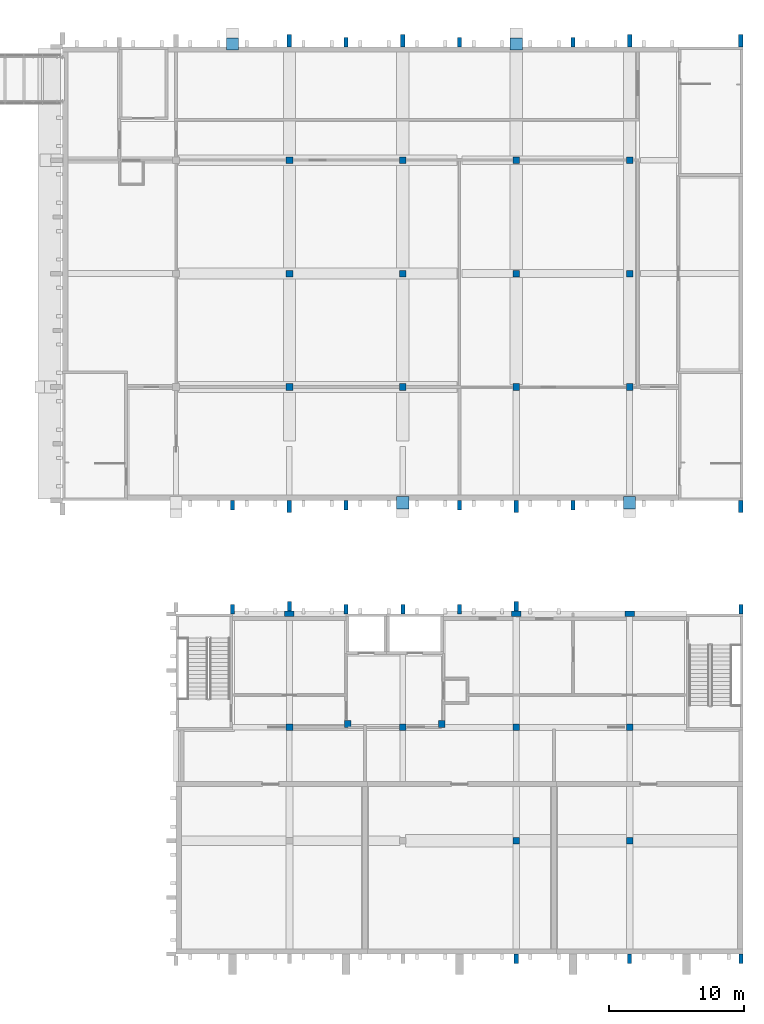
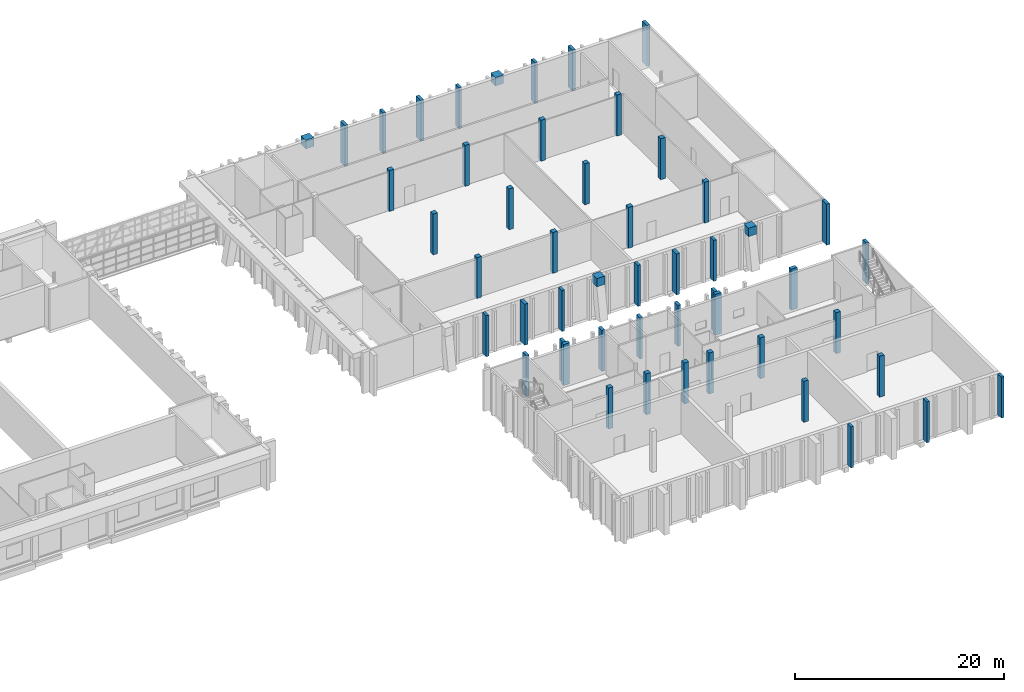
# One storey, part 2 of 86: 51 columns.
"""IFC4 building model written with IfcOpenShell, lengths in metres."""

from ifc_helpers import new_model, si_unit, direction, frame, origin, origin_2d, place, context, subcontext, project, spatial, rectangle, extrude, material, material_profile, profile_set, type_object, element, save


model = new_model("IFC4")

# Units and contexts
model_context = context("Model", 3, precision=1e-05, world=origin(), true_north=direction((0.0, 1.0)))
body_context = subcontext(model_context, "Body", "Model", "MODEL_VIEW")
ifc_project = project(units=[si_unit("LENGTHUNIT", "METRE"), si_unit("AREAUNIT", "SQUARE_METRE"), si_unit("VOLUMEUNIT", "CUBIC_METRE"), si_unit("PLANEANGLEUNIT", "RADIAN"), si_unit("MASSUNIT", "GRAM", prefix="KILO")], contexts=[model_context])

# Site, building, storey
site_placement = place(None, origin())
site = spatial("IfcSite", under=ifc_project, at=site_placement, CompositionType="ELEMENT")
building_placement = place(site_placement, origin())
building = spatial("IfcBuilding", under=site, at=building_placement, Name="Kiln Court Media Centre", CompositionType="ELEMENT")
storey_placement = place(building_placement, frame((0.0, 0.0, 10.199951171875)))
storey = spatial("IfcBuildingStorey", under=building, at=storey_placement, Name="L02", CompositionType="ELEMENT", Elevation=10.199951171875)

# Columns
ifc_material_1 = material(Name="Concrete C40/50", Category="concrete")
ifc_material_profile_1 = material_profile(ifc_material_1, rectangle(XDim=0.5, YDim=0.5, at=origin_2d()), Name="RC 500x500")
ifc_profile_set_1 = profile_set([ifc_material_profile_1], Name="Concrete C40/50")
column_type_1 = type_object("IfcColumnType", Name="Concrete C40/50 column 500x500", PredefinedType="COLUMN", material=ifc_profile_set_1)
for number, where, z_axis, x_axis, name in (
    (1, (134.39990234375, 42.0, 0.0), (0.0, 0.0, 1.0), (1.0, 0.0, 0.0), "L02-C-1045"),
    (2, (134.39990234375, 50.39990234375, 0.0), (0.0, 0.0, 1.0), (1.0, 0.0, 0.0), "L02-C-1046"),
    (3, (134.39990234375, 58.800048828125, 0.0), (0.0, 0.0, 1.0), (1.0, 0.0, 0.0), "L02-C-1047"),
    (4, (142.800048828125, 42.0, 0.0), (0.0, 0.0, 1.0), (1.0, 0.0, 0.0), "L02-C-1048"),
    (5, (142.800048828125, 50.39990234375, 0.0), (0.0, 0.0, 1.0), (1.0, 0.0, 0.0), "L02-C-1049"),
    (6, (142.800048828125, 58.800048828125, 0.0), (0.0, 0.0, 1.0), (1.0, 0.0, 0.0), "L02-C-1050"),
    (7, (151.199951171875, 42.0, 0.0), (0.0, 0.0, 1.0), (1.0, 0.0, 0.0), "L02-C-1051"),
    (8, (151.199951171875, 50.39990234375, 0.0), (0.0, 0.0, 1.0), (1.0, 0.0, 0.0), "L02-C-1052"),
    (9, (151.199951171875, 58.800048828125, 0.0), (0.0, 0.0, 1.0), (1.0, 0.0, 0.0), "L02-C-1053"),
    (10, (159.60009765625, 42.0, 0.0), (0.0, 0.0, 1.0), (1.0, 0.0, 0.0), "L02-C-1054"),
    (11, (159.60009765625, 50.39990234375, 0.0), (0.0, 0.0, 1.0), (1.0, 0.0, 0.0), "L02-C-1055"),
    (12, (159.60009765625, 58.800048828125, 0.0), (0.0, 0.0, 1.0), (1.0, 0.0, 0.0), "L02-C-1056"),
    (13, (134.39990234375, 16.800048828125, 0.0), (0.0, 0.0, 1.0), (1.0, 0.0, 0.0), "L02-C-1058"),
    (14, (142.800048828125, 16.800048828125, 0.0), (0.0, 0.0, 1.0), (1.0, 0.0, 0.0), "L02-C-1061"),
    (15, (151.199951171875, 8.39990234375, 0.0), (0.0, 0.0, 1.0), (1.0, 0.0, 0.0), "L02-C-1062"),
    (16, (151.199951171875, 16.800048828125, 0.0), (0.0, 0.0, 1.0), (1.0, 0.0, 0.0), "L02-C-1063"),
    (17, (159.60009765625, 8.39990234375, 0.0), (0.0, 0.0, 1.0), (1.0, 0.0, 0.0), "L02-C-1065"),
    (18, (159.60009765625, 16.800048828125, 0.0), (0.0, 0.0, 1.0), (1.0, 0.0, 0.0), "L02-C-1066"),
    (19, (138.72509765625, 17.050048828125, 0.0), (0.0, 0.0, 1.0), (1.0, 0.0, 0.0), "L02-C-1097"),
    (20, (145.675048828125, 17.050048828125, 0.0), (0.0, 0.0, 1.0), (1.0, 0.0, 0.0), "L02-C-1098"),
):
    element("IfcColumn", number, at=place(storey_placement, frame(where, z_axis=z_axis, x_axis=x_axis)), inside=storey, type_object=column_type_1, Name=name, PredefinedType="COLUMN", context=body_context, shape_type="SweptSolid", body=[
        extrude(rectangle(XDim=0.5, YDim=0.5, at=origin_2d()), origin(), (0.0, 0.0, 1.0), 4.800048828125),
    ])
ifc_material_2 = material(Name="Concrete C40/50", Category="concrete")
ifc_material_profile_2 = material_profile(ifc_material_2, rectangle(XDim=0.699951171875, YDim=0.39990234375, at=origin_2d()), Name="RC 700x400")
ifc_profile_set_2 = profile_set([ifc_material_profile_2], Name="Concrete C40/50")
column_type_2 = type_object("IfcColumnType", Name="Concrete C40/50 column 700x400", PredefinedType="COLUMN", material=ifc_profile_set_2)
for number, where, z_axis, x_axis, name in (
    (21, (134.39990234375, 25.199951171875, 0.0), (0.0, 0.0, 1.0), (1.0, 0.0, 0.0), "L02-C-1059"),
    (22, (151.199951171875, 25.199951171875, 0.0), (0.0, 0.0, 1.0), (1.0, 0.0, 0.0), "L02-C-1064"),
    (23, (159.60009765625, 25.199951171875, 0.0), (0.0, 0.0, 1.0), (1.0, 0.0, 0.0), "L02-C-1067"),
):
    element("IfcColumn", number, at=place(storey_placement, frame(where, z_axis=z_axis, x_axis=x_axis)), inside=storey, type_object=column_type_2, Name=name, PredefinedType="COLUMN", context=body_context, shape_type="SweptSolid", body=[
        extrude(rectangle(XDim=0.699951171875, YDim=0.39990234375, at=origin_2d()), origin(), (0.0, 0.0, 1.0), 4.800048828125),
    ])
ifc_material_3 = material(Name="Concrete C40/50", Category="concrete")
ifc_material_profile_3 = material_profile(ifc_material_3, rectangle(XDim=0.89990234375, YDim=0.89990234375, at=origin_2d()), Name="RC 900x900")
ifc_profile_set_3 = profile_set([ifc_material_profile_3], Name="Concrete C40/50")
column_type_3 = type_object("IfcColumnType", Name="Concrete C40/50 column 900x900", PredefinedType="COLUMN", material=ifc_profile_set_3)
for number, where, z_axis, x_axis, name in (
    (24, (142.800048828125, 33.4267578125, 3.800048828125), (0.0, 0.0, 1.0), (1.0, 0.0, 0.0), "L02-C-1085"),
    (25, (159.60009765625, 33.4267578125, 3.800048828125), (0.0, 0.0, 1.0), (1.0, 0.0, 0.0), "L02-C-1086"),
    (26, (130.199951171875, 67.39990234375, 3.800048828125), (0.0, 0.0, 1.0), (1.0, 0.0, 0.0), "L02-C-1087"),
    (27, (151.199951171875, 67.39990234375, 3.800048828125), (0.0, 0.0, 1.0), (1.0, 0.0, 0.0), "L02-C-1088"),
):
    element("IfcColumn", number, at=place(storey_placement, frame(where, z_axis=z_axis, x_axis=x_axis)), inside=storey, type_object=column_type_3, Name=name, PredefinedType="COLUMN", context=body_context, shape_type="SweptSolid", body=[
        extrude(rectangle(XDim=0.89990234375, YDim=0.89990234375, at=origin_2d()), origin(), (0.0, 0.0, 1.0), 1.0),
    ])
ifc_material_4 = material(Name="Concrete C40/50", Category="concrete")
ifc_material_profile_4 = material_profile(ifc_material_4, rectangle(XDim=0.300048828125, YDim=0.699951171875, at=origin_2d()), Name="RC 300x700")
ifc_profile_set_4 = profile_set([ifc_material_profile_4], Name="Concrete C40/50")
column_type_4 = type_object("IfcColumnType", Name="Concrete C40/50 pilaster rib 300x700", PredefinedType="PILASTER", material=ifc_profile_set_4)
for number, where, z_axis, x_axis, name in (
    (28, (130.199951171875, 33.25, 0.0), (0.0, 0.0, 1.0), (1.0, 0.0, 0.0), "V2 S rib L02"),
    (29, (138.60009765625, 33.25, 0.0), (0.0, 0.0, 1.0), (1.0, 0.0, 0.0), "V2 S rib L02"),
    (30, (147.0, 33.25, 0.0), (0.0, 0.0, 1.0), (1.0, 0.0, 0.0), "V2 S rib L02"),
    (31, (155.39990234375, 33.25, 0.0), (0.0, 0.0, 1.0), (1.0, 0.0, 0.0), "V2 S rib L02"),
    (32, (138.60009765625, 67.550048828125, 0.0), (0.0, 0.0, 1.0), (1.0, 0.0, 0.0), "V2 N rib L02"),
    (33, (147.0, 67.550048828125, 0.0), (0.0, 0.0, 1.0), (1.0, 0.0, 0.0), "V2 N rib L02"),
    (34, (155.39990234375, 67.550048828125, 0.0), (0.0, 0.0, 1.0), (1.0, 0.0, 0.0), "V2 N rib L02"),
    (35, (151.199951171875, -0.35009765625, 0.0), (0.0, 0.0, 1.0), (1.0, 0.0, 0.0), "V5 S rib L02"),
    (36, (159.60009765625, -0.35009765625, 0.0), (0.0, 0.0, 1.0), (1.0, 0.0, 0.0), "V5 S rib L02"),
    (37, (167.849853515625, -0.35009765625, 0.0), (0.0, 0.0, 1.0), (1.0, 0.0, 0.0), "V5 S rib L02"),
    (38, (130.199951171875, 25.550048828125, 0.0), (0.0, 0.0, 1.0), (1.0, 0.0, 0.0), "V5 N rib L02"),
    (39, (134.39990234375, 25.75, 0.0), (0.0, 0.0, 1.0), (1.0, 0.0, 0.0), "V5 N rib L02"),
    (40, (138.60009765625, 25.550048828125, 0.0), (0.0, 0.0, 1.0), (1.0, 0.0, 0.0), "V5 N rib L02"),
    (41, (142.800048828125, 25.550048828125, 0.0), (0.0, 0.0, 1.0), (1.0, 0.0, 0.0), "V5 N rib L02"),
    (42, (147.0, 25.550048828125, 0.0), (0.0, 0.0, 1.0), (1.0, 0.0, 0.0), "V5 N rib L02"),
    (43, (151.199951171875, 25.75, 0.0), (0.0, 0.0, 1.0), (1.0, 0.0, 0.0), "V5 N rib L02"),
    (44, (167.849853515625, 25.550048828125, 0.0), (0.0, 0.0, 1.0), (1.0, 0.0, 0.0), "V5 N rib L02"),
):
    element("IfcColumn", number, at=place(storey_placement, frame(where, z_axis=z_axis, x_axis=x_axis)), inside=storey, type_object=column_type_4, Name=name, PredefinedType="PILASTER", context=body_context, shape_type="SweptSolid", body=[
        extrude(rectangle(XDim=0.300048828125, YDim=0.699951171875, at=origin_2d()), origin(), (0.0, 0.0, 1.0), 4.800048828125),
    ])
ifc_material_5 = material(Name="Concrete C40/50", Category="concrete")
ifc_material_profile_5 = material_profile(ifc_material_5, rectangle(XDim=0.35009765625, YDim=0.89990234375, at=origin_2d()), Name="RC 350x900")
ifc_profile_set_5 = profile_set([ifc_material_profile_5], Name="Concrete C40/50")
column_type_5 = type_object("IfcColumnType", Name="Concrete C40/50 pilaster rib 350x900", PredefinedType="PILASTER", material=ifc_profile_set_5)
for number, where, z_axis, x_axis, name in (
    (45, (134.39990234375, 33.14990234375, 0.0), (0.0, 0.0, 1.0), (1.0, 0.0, 0.0), "V2 S rib L02"),
    (46, (151.199951171875, 33.14990234375, 0.0), (0.0, 0.0, 1.0), (1.0, 0.0, 0.0), "V2 S rib L02"),
    (47, (167.824951171875, 33.14990234375, 0.0), (0.0, 0.0, 1.0), (1.0, 0.0, 0.0), "V2 S rib L02"),
    (48, (134.39990234375, 67.64990234375, 0.0), (0.0, 0.0, 1.0), (1.0, 0.0, 0.0), "V2 N rib L02"),
    (49, (142.800048828125, 67.64990234375, 0.0), (0.0, 0.0, 1.0), (1.0, 0.0, 0.0), "V2 N rib L02"),
    (50, (159.60009765625, 67.64990234375, 0.0), (0.0, 0.0, 1.0), (1.0, 0.0, 0.0), "V2 N rib L02"),
    (51, (167.824951171875, 67.64990234375, 0.0), (0.0, 0.0, 1.0), (1.0, 0.0, 0.0), "V2 N rib L02"),
):
    element("IfcColumn", number, at=place(storey_placement, frame(where, z_axis=z_axis, x_axis=x_axis)), inside=storey, type_object=column_type_5, Name=name, PredefinedType="PILASTER", context=body_context, shape_type="SweptSolid", body=[
        extrude(rectangle(XDim=0.35009765625, YDim=0.89990234375, at=origin_2d()), origin(), (0.0, 0.0, 1.0), 4.800048828125),
    ])

save(model, "model.ifc")
